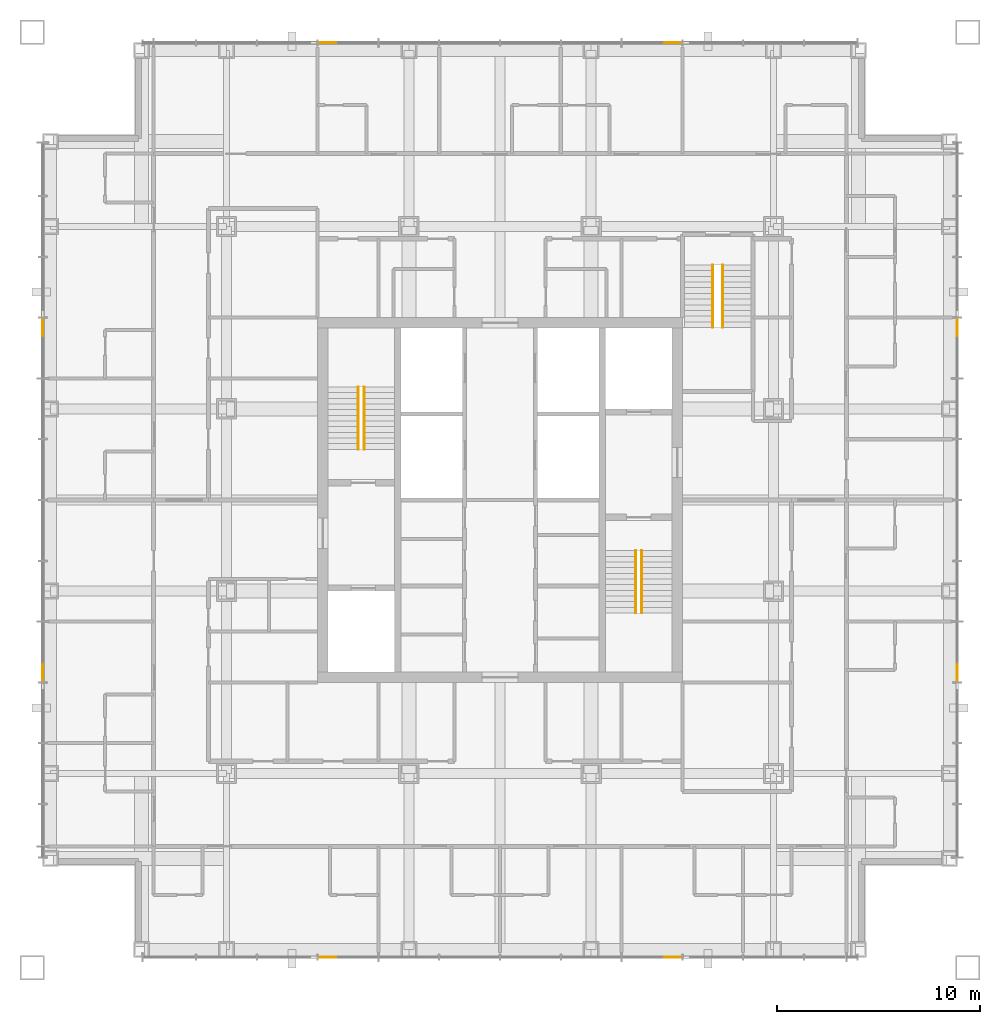
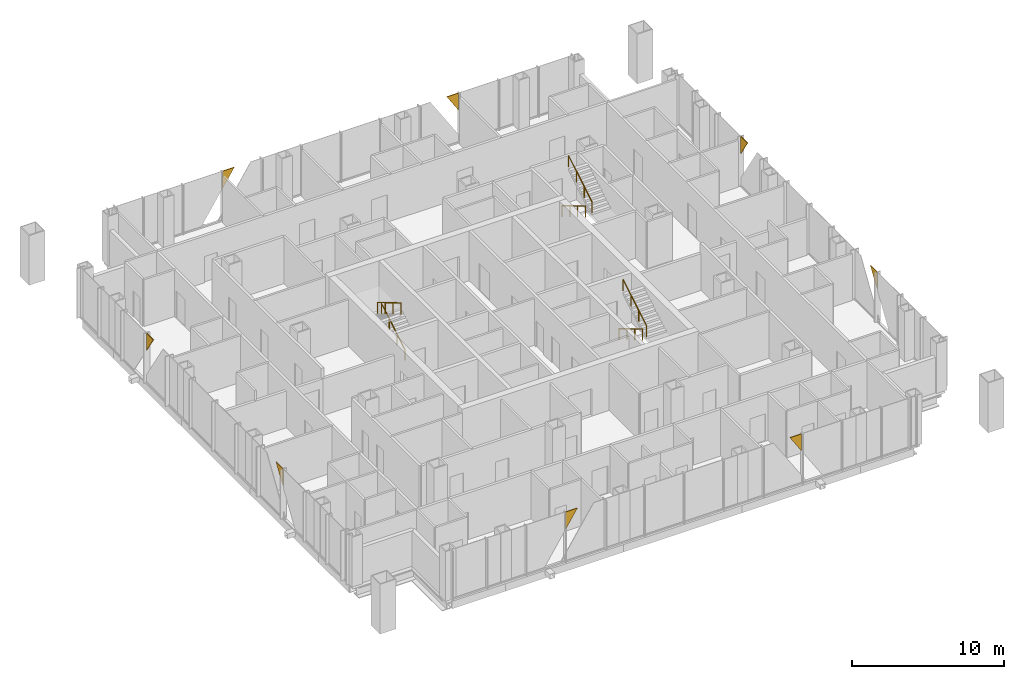
# One storey, part 17 of 21: 8 coverings, 6 railings.
"""IFC4 building model written with IfcOpenShell, lengths in metres."""

from ifc_helpers import new_model, si_unit, direction, frame, origin, origin_2d, place, context, subcontext, project, spatial, polyline, circle, outline, extrude, material, layer, layer_set, type_object, element, save


model = new_model("IFC4")

# Units and contexts
model_context = context("Model", 3, precision=1e-05, world=origin(), true_north=direction((0.0, 1.0)))
body_context = subcontext(model_context, "Body", "Model", "MODEL_VIEW")
ifc_project = project(units=[si_unit("LENGTHUNIT", "METRE"), si_unit("AREAUNIT", "SQUARE_METRE"), si_unit("VOLUMEUNIT", "CUBIC_METRE"), si_unit("PLANEANGLEUNIT", "RADIAN"), si_unit("MASSUNIT", "GRAM", prefix="KILO")], contexts=[model_context])

# Site, building, storey
site_placement = place(None, origin())
site = spatial("IfcSite", under=ifc_project, at=site_placement, CompositionType="ELEMENT")
building_placement = place(site_placement, origin())
building = spatial("IfcBuilding", under=site, at=building_placement, Name="Malebo Sky Hospital", CompositionType="ELEMENT")
storey_placement = place(building_placement, frame((0.0, 0.0, 229.0)))
storey = spatial("IfcBuildingStorey", under=building, at=storey_placement, Name="L55", CompositionType="ELEMENT", Elevation=229.0)

# Coverings
ifc_material_1 = material(Name="Anodised aluminium, natural silver insulated infill panel", Category="aluminium")
ifc_layer = layer(ifc_material_1, 0.0400390625)
ifc_layer_set = layer_set([ifc_layer], Name="BRACE INFILL PANEL 40")
covering_type = type_object("IfcCoveringType", Name="BRACE INFILL PANEL 40", PredefinedType="CLADDING", material=ifc_layer_set)
covering_1_placement = place(storey_placement, frame((51.481689453125, 84.574951171875, 2.605712890625), z_axis=(0.0, 0.0, 1.0), x_axis=(1.0, 0.0, 0.0)))
element("IfcCovering", 1, at=covering_1_placement, inside=storey, type_object=covering_type, Name="Brace infill panel 5.1", PredefinedType="CLADDING", context=body_context, shape_type="SweptSolid", body=[
    extrude(outline(polyline([(-0.444091796875, 0.0), (0.444091796875, 1.38427734375), (-0.444091796875, 1.38427734375), (-0.444091796875, 0.0)])), frame((0.0, 0.02001953125, 0.0), z_axis=(0.0, -1.0, 0.0), x_axis=(1.0, 0.0, 0.0)), (0.0, 0.0, 1.0), 0.0400390625),
])
covering_2_placement = place(storey_placement, frame((68.518310546875, 84.574951171875, 2.605712890625), z_axis=(0.0, 0.0, 1.0), x_axis=(1.0, 0.0, 0.0)))
element("IfcCovering", 2, at=covering_2_placement, inside=storey, type_object=covering_type, Name="Brace infill panel 10.1", PredefinedType="CLADDING", context=body_context, shape_type="SweptSolid", body=[
    extrude(outline(polyline([(0.444091796875, 0.0), (0.444091796875, 1.38427734375), (-0.444091796875, 1.38427734375), (0.444091796875, 0.0)])), frame((0.0, 0.02001953125, 0.0), z_axis=(0.0, -1.0, 0.0), x_axis=(1.0, 0.0, 0.0)), (0.0, 0.0, 1.0), 0.0400390625),
])
covering_3_placement = place(storey_placement, frame((37.425048828125, 53.481689453125, 2.605712890625), z_axis=(0.0, 0.0, 1.0), x_axis=(0.0, 1.0, 0.0)))
element("IfcCovering", 3, at=covering_3_placement, inside=storey, type_object=covering_type, Name="Brace infill panel 5.1", PredefinedType="CLADDING", context=body_context, shape_type="SweptSolid", body=[
    extrude(outline(polyline([(-0.444091796875, 0.0), (0.444091796875, 1.38427734375), (-0.444091796875, 1.38427734375), (-0.444091796875, 0.0)])), frame((0.0, 0.02001953125, 0.0), z_axis=(0.0, -1.0, 0.0), x_axis=(1.0, 0.0, 0.0)), (0.0, 0.0, 1.0), 0.0400390625),
])
covering_4_placement = place(storey_placement, frame((37.425048828125, 70.518310546875, 2.605712890625), z_axis=(0.0, 0.0, 1.0), x_axis=(0.0, 1.0, 0.0)))
element("IfcCovering", 4, at=covering_4_placement, inside=storey, type_object=covering_type, Name="Brace infill panel 10.1", PredefinedType="CLADDING", context=body_context, shape_type="SweptSolid", body=[
    extrude(outline(polyline([(0.444091796875, 0.0), (0.444091796875, 1.38427734375), (-0.444091796875, 1.38427734375), (0.444091796875, 0.0)])), frame((0.0, 0.02001953125, 0.0), z_axis=(0.0, -1.0, 0.0), x_axis=(1.0, 0.0, 0.0)), (0.0, 0.0, 1.0), 0.0400390625),
])
covering_5_placement = place(storey_placement, frame((68.518310546875, 39.425048828125, 2.605712890625), z_axis=(0.0, 0.0, 1.0), x_axis=(-1.0, 0.0, 0.0)))
element("IfcCovering", 5, at=covering_5_placement, inside=storey, type_object=covering_type, Name="Brace infill panel 5.1", PredefinedType="CLADDING", context=body_context, shape_type="SweptSolid", body=[
    extrude(outline(polyline([(-0.444091796875, 0.0), (0.444091796875, 1.38427734375), (-0.444091796875, 1.38427734375), (-0.444091796875, 0.0)])), frame((0.0, 0.02001953125, 0.0), z_axis=(0.0, -1.0, 0.0), x_axis=(1.0, 0.0, 0.0)), (0.0, 0.0, 1.0), 0.0400390625),
])
covering_6_placement = place(storey_placement, frame((51.481689453125, 39.425048828125, 2.605712890625), z_axis=(0.0, 0.0, 1.0), x_axis=(-1.0, 0.0, 0.0)))
element("IfcCovering", 6, at=covering_6_placement, inside=storey, type_object=covering_type, Name="Brace infill panel 10.1", PredefinedType="CLADDING", context=body_context, shape_type="SweptSolid", body=[
    extrude(outline(polyline([(0.444091796875, 0.0), (0.444091796875, 1.38427734375), (-0.444091796875, 1.38427734375), (0.444091796875, 0.0)])), frame((0.0, 0.02001953125, 0.0), z_axis=(0.0, -1.0, 0.0), x_axis=(1.0, 0.0, 0.0)), (0.0, 0.0, 1.0), 0.0400390625),
])
covering_7_placement = place(storey_placement, frame((82.574951171875, 70.518310546875, 2.605712890625), z_axis=(0.0, 0.0, 1.0), x_axis=(0.0, -1.0, 0.0)))
element("IfcCovering", 7, at=covering_7_placement, inside=storey, type_object=covering_type, Name="Brace infill panel 5.1", PredefinedType="CLADDING", context=body_context, shape_type="SweptSolid", body=[
    extrude(outline(polyline([(-0.444091796875, 0.0), (0.444091796875, 1.38427734375), (-0.444091796875, 1.38427734375), (-0.444091796875, 0.0)])), frame((0.0, 0.02001953125, 0.0), z_axis=(0.0, -1.0, 0.0), x_axis=(1.0, 0.0, 0.0)), (0.0, 0.0, 1.0), 0.0400390625),
])
covering_8_placement = place(storey_placement, frame((82.574951171875, 53.481689453125, 2.605712890625), z_axis=(0.0, 0.0, 1.0), x_axis=(0.0, -1.0, 0.0)))
element("IfcCovering", 8, at=covering_8_placement, inside=storey, type_object=covering_type, Name="Brace infill panel 10.1", PredefinedType="CLADDING", context=body_context, shape_type="SweptSolid", body=[
    extrude(outline(polyline([(0.444091796875, 0.0), (0.444091796875, 1.38427734375), (-0.444091796875, 1.38427734375), (0.444091796875, 0.0)])), frame((0.0, 0.02001953125, 0.0), z_axis=(0.0, -1.0, 0.0), x_axis=(1.0, 0.0, 0.0)), (0.0, 0.0, 1.0), 0.0400390625),
])

# Railings
ifc_material_2 = material(Name="Stainless steel tube", Category="steel")
railing_type = type_object("IfcRailingType", Name="STAIR HANDRAIL 900", PredefinedType="HANDRAIL", material=ifc_material_2)
railing_1_placement = place(storey_placement, frame((53.300048828125, 64.5, 0.166748046875)))
element("IfcRailing", 9, at=railing_1_placement, inside=storey, type_object=railing_type, Name="Stair handrail S1 flight 1", PredefinedType="HANDRAIL", context=body_context, shape_type="SweptSolid", body=[
    extrude(circle(Radius=0.02392578125, at=origin_2d()), frame((0.0, 0.0, 0.8759765625), z_axis=(0.0, 0.859308565015, 0.511457515432), x_axis=(-1.0, 0.0, 0.0)), (0.0, 0.0, 1.0), 3.58447265625),
    extrude(circle(Radius=0.02099609375, at=origin_2d()), origin(), (0.0, 0.0, 1.0), 0.851806640625),
    extrude(circle(Radius=0.02099609375, at=origin_2d()), frame((0.0, 1.026611328125, 0.611083984375)), (0.0, 0.0, 1.0), 0.851806640625),
    extrude(circle(Radius=0.02099609375, at=origin_2d()), frame((0.0, 2.053466796875, 1.22216796875)), (0.0, 0.0, 1.0), 0.851806640625),
    extrude(circle(Radius=0.02099609375, at=origin_2d()), frame((0.0, 3.080078125, 1.833251953125)), (0.0, 0.0, 1.0), 0.851806640625),
])
for number, where, name in (
    (10, (53.0, 67.580078125, 2.166748046875), "Stair handrail S1 flight 2"),
    (11, (66.699951171875, 59.5, 0.166748046875), "Stair handrail S2 flight 1"),
):
    element("IfcRailing", number, at=place(storey_placement, frame(where)), inside=storey, type_object=railing_type, Name=name, PredefinedType="HANDRAIL", context=body_context, shape_type="SweptSolid", body=[
        extrude(circle(Radius=0.02392578125, at=origin_2d()), frame((0.0, 0.0, 0.8759765625), z_axis=(0.0, -0.859308565015, 0.511457515432), x_axis=(1.0, 0.0, 0.0)), (0.0, 0.0, 1.0), 3.58447265625),
        extrude(circle(Radius=0.02099609375, at=origin_2d()), origin(), (0.0, 0.0, 1.0), 0.851806640625),
        extrude(circle(Radius=0.02099609375, at=origin_2d()), frame((0.0, -1.026611328125, 0.611083984375)), (0.0, 0.0, 1.0), 0.851806640625),
        extrude(circle(Radius=0.02099609375, at=origin_2d()), frame((0.0, -2.053466796875, 1.22216796875)), (0.0, 0.0, 1.0), 0.851806640625),
        extrude(circle(Radius=0.02099609375, at=origin_2d()), frame((0.0, -3.080078125, 1.833251953125)), (0.0, 0.0, 1.0), 0.851806640625),
    ])
railing_2_placement = place(storey_placement, frame((67.0, 56.419921875, 2.166748046875)))
element("IfcRailing", 12, at=railing_2_placement, inside=storey, type_object=railing_type, Name="Stair handrail S2 flight 2", PredefinedType="HANDRAIL", context=body_context, shape_type="SweptSolid", body=[
    extrude(circle(Radius=0.02392578125, at=origin_2d()), frame((0.0, 0.0, 0.8759765625), z_axis=(0.0, 0.859308565015, 0.511457515432), x_axis=(-1.0, 0.0, 0.0)), (0.0, 0.0, 1.0), 3.58447265625),
    extrude(circle(Radius=0.02099609375, at=origin_2d()), origin(), (0.0, 0.0, 1.0), 0.851806640625),
    extrude(circle(Radius=0.02099609375, at=origin_2d()), frame((0.0, 1.026611328125, 0.611083984375)), (0.0, 0.0, 1.0), 0.851806640625),
    extrude(circle(Radius=0.02099609375, at=origin_2d()), frame((0.0, 2.053466796875, 1.22216796875)), (0.0, 0.0, 1.0), 0.851806640625),
    extrude(circle(Radius=0.02099609375, at=origin_2d()), frame((0.0, 3.080078125, 1.833251953125)), (0.0, 0.0, 1.0), 0.851806640625),
])
railing_3_placement = place(storey_placement, frame((70.5, 73.60009765625, 0.166748046875)))
element("IfcRailing", 13, at=railing_3_placement, inside=storey, type_object=railing_type, Name="Stair handrail S3 flight 1", PredefinedType="HANDRAIL", context=body_context, shape_type="SweptSolid", body=[
    extrude(circle(Radius=0.02392578125, at=origin_2d()), frame((0.0, 0.0, 0.8759765625), z_axis=(0.0, -0.859308565015, 0.511457515432), x_axis=(1.0, 0.0, 0.0)), (0.0, 0.0, 1.0), 3.58447265625),
    extrude(circle(Radius=0.02099609375, at=origin_2d()), origin(), (0.0, 0.0, 1.0), 0.851806640625),
    extrude(circle(Radius=0.02099609375, at=origin_2d()), frame((0.0, -1.026611328125, 0.611083984375)), (0.0, 0.0, 1.0), 0.851806640625),
    extrude(circle(Radius=0.02099609375, at=origin_2d()), frame((0.0, -2.053466796875, 1.22216796875)), (0.0, 0.0, 1.0), 0.851806640625),
    extrude(circle(Radius=0.02099609375, at=origin_2d()), frame((0.0, -3.080078125, 1.833251953125)), (0.0, 0.0, 1.0), 0.851806640625),
])
railing_4_placement = place(storey_placement, frame((71.0, 70.52001953125, 2.166748046875)))
element("IfcRailing", 14, at=railing_4_placement, inside=storey, type_object=railing_type, Name="Stair handrail S3 flight 2", PredefinedType="HANDRAIL", context=body_context, shape_type="SweptSolid", body=[
    extrude(circle(Radius=0.02392578125, at=origin_2d()), frame((0.0, 0.0, 0.8759765625), z_axis=(0.0, 0.859308565015, 0.511457515432), x_axis=(-1.0, 0.0, 0.0)), (0.0, 0.0, 1.0), 3.58447265625),
    extrude(circle(Radius=0.02099609375, at=origin_2d()), origin(), (0.0, 0.0, 1.0), 0.851806640625),
    extrude(circle(Radius=0.02099609375, at=origin_2d()), frame((0.0, 1.026611328125, 0.611083984375)), (0.0, 0.0, 1.0), 0.851806640625),
    extrude(circle(Radius=0.02099609375, at=origin_2d()), frame((0.0, 2.053466796875, 1.22216796875)), (0.0, 0.0, 1.0), 0.851806640625),
    extrude(circle(Radius=0.02099609375, at=origin_2d()), frame((0.0, 3.080078125, 1.833251953125)), (0.0, 0.0, 1.0), 0.851806640625),
])

save(model, "model.ifc")
